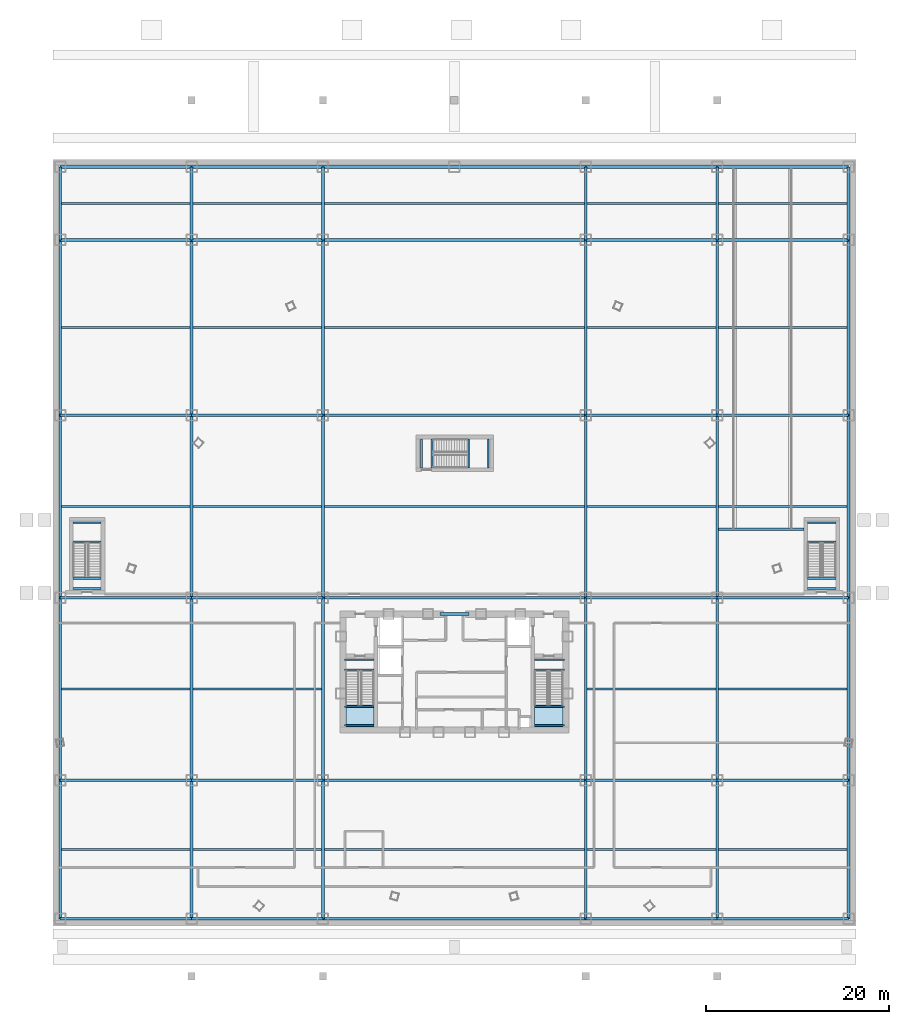
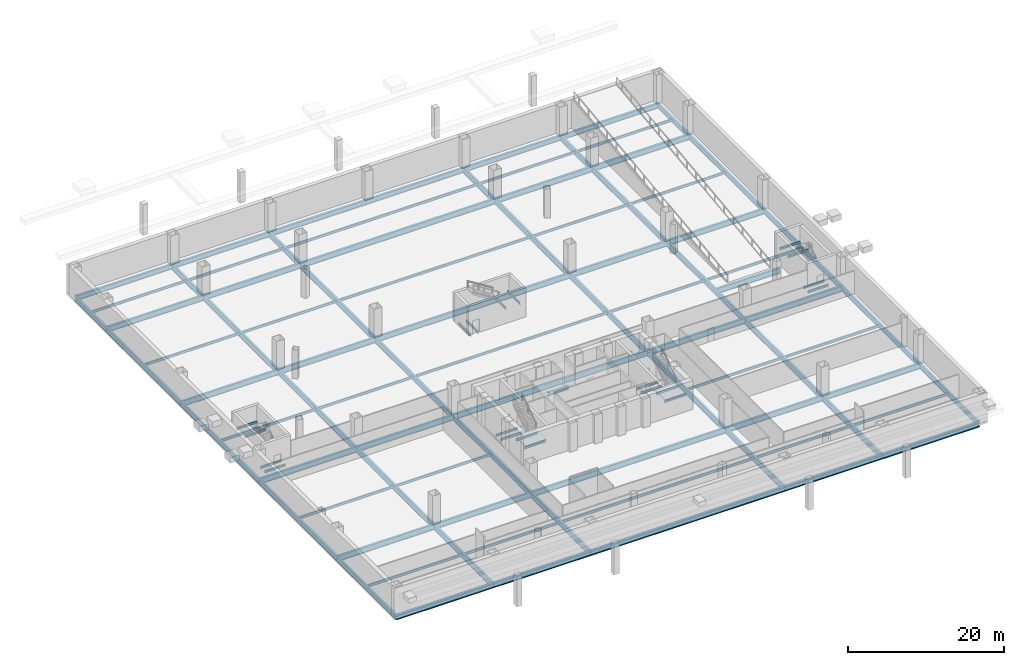
# One storey, part 4 of 16: 106 beams, 2 slabs, 2 elements without a shape of their own.
"""IFC4 building model written with IfcOpenShell, lengths in metres."""

from ifc_helpers import new_model, si_unit, direction, frame, origin, origin_2d, place, context, subcontext, project, spatial, polyline, i_section, outline, extrude, source, transform, mapped, material, layer, layer_set, material_profile, profile_set, type_object, element, aggregate, save


model = new_model("IFC4")

# Units and contexts
model_context = context("Model", 3, precision=1e-05, world=origin(), true_north=direction((0.0, 1.0)))
body_context = subcontext(model_context, "Body", "Model", "MODEL_VIEW")
ifc_project = project(units=[si_unit("LENGTHUNIT", "METRE"), si_unit("AREAUNIT", "SQUARE_METRE"), si_unit("VOLUMEUNIT", "CUBIC_METRE"), si_unit("PLANEANGLEUNIT", "RADIAN"), si_unit("MASSUNIT", "GRAM", prefix="KILO"), si_unit("THERMODYNAMICTEMPERATUREUNIT", "KELVIN"), si_unit("POWERUNIT", "WATT")], contexts=[model_context])

# Site, building, storey
site_placement = place(None, origin())
site = spatial("IfcSite", under=ifc_project, at=site_placement, CompositionType="ELEMENT")
building_placement = place(site_placement, origin())
building = spatial("IfcBuilding", under=site, at=building_placement, Name="Yunzhuo Pagoda Commons", CompositionType="ELEMENT")
storey_placement = place(building_placement, frame((0.0, 0.0, -4.800048828125)))
storey = spatial("IfcBuildingStorey", under=building, at=storey_placement, Name="B01", CompositionType="ELEMENT", Elevation=-4.800048828125)

# Beams
ifc_material_1 = material(Name="Structural steel Q355B", Category="steel")
ifc_material_profile_1 = material_profile(ifc_material_1, i_section(OverallWidth=0.175048828125, OverallDepth=0.35009765625, WebThickness=0.007080078125, FlangeThickness=0.010986328125, at=origin_2d()), Name="Structural steel Q355B")
ifc_profile_set_1 = profile_set([ifc_material_profile_1], Name="Structural steel Q355B")
beam_type_1 = type_object("IfcBeamType", Name="B-JS2 Joist HN 350x175x7x11", PredefinedType="JOIST", material=ifc_profile_set_1)
shared_shape_1 = source(origin(), body_context, "Body", "SweptSolid", [
    extrude(i_section(OverallWidth=0.175048828125, OverallDepth=0.35009765625, WebThickness=0.007080078125, FlangeThickness=0.010986328125, at=origin_2d()), origin(), (0.0, 0.0, 1.0), 3.25),
])
for number, where, z_axis, x_axis, name in (
    (1, (35.949951171875, 28.0, 2.025146484375), (1.0, 0.0, 0.0), (0.0, 1.0, 0.0), "B01 ST1 landing support beam 2A"),
    (2, (35.949951171875, 30.06005859375, 2.025146484375), (1.0, 0.0, 0.0), (0.0, 1.0, 0.0), "B01 ST1 landing support beam 2B"),
    (3, (35.949951171875, 34.10009765625, -0.375), (1.0, 0.0, 0.0), (0.0, 1.0, 0.0), "B01 ST1 landing support beam 104A"),
    (4, (35.949951171875, 35.199951171875, -0.375), (1.0, 0.0, 0.0), (0.0, 1.0, 0.0), "B01 ST1 landing support beam 104B"),
    (5, (56.800048828125, 28.0, 2.025146484375), (1.0, 0.0, 0.0), (0.0, 1.0, 0.0), "B01 ST2 landing support beam 2A"),
    (6, (56.800048828125, 30.06005859375, 2.025146484375), (1.0, 0.0, 0.0), (0.0, 1.0, 0.0), "B01 ST2 landing support beam 2B"),
    (7, (56.800048828125, 34.10009765625, -0.375), (1.0, 0.0, 0.0), (0.0, 1.0, 0.0), "B01 ST2 landing support beam 104A"),
    (8, (56.800048828125, 35.199951171875, -0.375), (1.0, 0.0, 0.0), (0.0, 1.0, 0.0), "B01 ST2 landing support beam 104B"),
):
    element("IfcBeam", number, at=place(storey_placement, frame(where, z_axis=z_axis, x_axis=x_axis)), inside=storey, type_object=beam_type_1, Name=name, PredefinedType="JOIST", context=body_context, shape_type="MappedRepresentation", body=[
        mapped(shared_shape_1, transform((0.0, 0.0, 0.0), scale=1.0)),
    ])
shared_shape_2 = source(origin(), body_context, "Body", "SweptSolid", [
    extrude(i_section(OverallWidth=0.175048828125, OverallDepth=0.35009765625, WebThickness=0.007080078125, FlangeThickness=0.010986328125, at=origin_2d()), origin(), (0.0, 0.0, 1.0), 3.199951171875),
])
for number, where, z_axis, x_axis, name in (
    (9, (49.590087890625, 56.199951171875, 2.025146484375), (0.0, 1.0, 0.0), (-1.0, 0.0, 0.0), "B01 ST3 landing support beam 2A"),
    (10, (51.699951171875, 56.199951171875, 2.025146484375), (0.0, 1.0, 0.0), (-1.0, 0.0, 0.0), "B01 ST3 landing support beam 2B"),
    (11, (44.39990234375, 56.199951171875, -0.375), (0.0, 1.0, 0.0), (-1.0, 0.0, 0.0), "B01 ST3 landing support beam 74A"),
    (12, (45.550048828125, 56.199951171875, -0.375), (0.0, 1.0, 0.0), (-1.0, 0.0, 0.0), "B01 ST3 landing support beam 74B"),
):
    element("IfcBeam", number, at=place(storey_placement, frame(where, z_axis=z_axis, x_axis=x_axis)), inside=storey, type_object=beam_type_1, Name=name, PredefinedType="JOIST", context=body_context, shape_type="MappedRepresentation", body=[
        mapped(shared_shape_2, transform((0.0, 0.0, 0.0), scale=1.0)),
    ])
shared_shape_3 = source(origin(), body_context, "Body", "SweptSolid", [
    extrude(i_section(OverallWidth=0.175048828125, OverallDepth=0.35009765625, WebThickness=0.007080078125, FlangeThickness=0.010986328125, at=origin_2d()), origin(), (0.0, 0.0, 1.0), 3.10009765625),
])
for number, where, z_axis, x_axis, name in (
    (13, (6.199951171875, 48.139892578125, 2.025146484375), (1.0, 0.0, 0.0), (0.0, 1.0, 0.0), "B01 PS3 landing support beam 2A"),
    (14, (6.199951171875, 50.199951171875, 2.025146484375), (1.0, 0.0, 0.0), (0.0, 1.0, 0.0), "B01 PS3 landing support beam 2B"),
    (15, (6.199951171875, 43.0, -0.375), (1.0, 0.0, 0.0), (0.0, 1.0, 0.0), "B01 PS3 landing support beam 10A"),
    (16, (6.199951171875, 44.10009765625, -0.375), (1.0, 0.0, 0.0), (0.0, 1.0, 0.0), "B01 PS3 landing support beam 10B"),
    (17, (86.699951171875, 48.139892578125, 2.025146484375), (1.0, 0.0, 0.0), (0.0, 1.0, 0.0), "B01 PS4 landing support beam 2A"),
    (18, (86.699951171875, 50.199951171875, 2.025146484375), (1.0, 0.0, 0.0), (0.0, 1.0, 0.0), "B01 PS4 landing support beam 2B"),
    (19, (86.699951171875, 43.0, -0.375), (1.0, 0.0, 0.0), (0.0, 1.0, 0.0), "B01 PS4 landing support beam 10A"),
    (20, (86.699951171875, 44.10009765625, -0.375), (1.0, 0.0, 0.0), (0.0, 1.0, 0.0), "B01 PS4 landing support beam 10B"),
):
    element("IfcBeam", number, at=place(storey_placement, frame(where, z_axis=z_axis, x_axis=x_axis)), inside=storey, type_object=beam_type_1, Name=name, PredefinedType="JOIST", context=body_context, shape_type="MappedRepresentation", body=[
        mapped(shared_shape_3, transform((0.0, 0.0, 0.0), scale=1.0)),
    ])
ifc_material_profile_2 = material_profile(ifc_material_1, i_section(OverallWidth=0.300048828125, OverallDepth=0.89990234375, WebThickness=0.01611328125, FlangeThickness=0.028076171875, at=origin_2d()), Name="Structural steel Q355B")
ifc_profile_set_2 = profile_set([ifc_material_profile_2], Name="Structural steel Q355B")
beam_type_2 = type_object("IfcBeamType", Name="B-PD1 Beam HN 900x300x16x28", PredefinedType="BEAM", material=ifc_profile_set_2)
shared_shape_4 = source(origin(), body_context, "Body", "SweptSolid", [
    extrude(i_section(OverallWidth=0.300048828125, OverallDepth=0.89990234375, WebThickness=0.01611328125, FlangeThickness=0.028076171875, at=origin_2d()), origin(), (0.0, 0.0, 1.0), 9.35009765625),
])
beam_1_placement = place(storey_placement, frame((76.949951171875, 49.5, -0.75), z_axis=(1.0, 0.0, 0.0), x_axis=(0.0, 1.0, 0.0)))
element("IfcBeam", 21, at=beam_1_placement, inside=storey, type_object=beam_type_2, Name="B01 vehicle ramp toe support girder", PredefinedType="BEAM", context=body_context, shape_type="MappedRepresentation", body=[
    mapped(shared_shape_4, transform((0.0, 0.0, 0.0), scale=1.0)),
])
ifc_material_2 = material(Name="Structural steel Q420B", Category="steel")
ifc_material_profile_3 = material_profile(ifc_material_2, i_section(OverallWidth=0.300048828125, OverallDepth=0.587890625, WebThickness=0.011962890625, FlangeThickness=0.02001953125, at=origin_2d()), Name="Structural steel Q420B")
ifc_profile_set_3 = profile_set([ifc_material_profile_3], Name="Structural steel Q420B")
beam_type_3 = type_object("IfcBeamType", Name="B-CPL Beam HM 588x300x12x20", PredefinedType="BEAM", material=ifc_profile_set_3)
shared_shape_5 = source(origin(), body_context, "Body", "SweptSolid", [
    extrude(i_section(OverallWidth=0.300048828125, OverallDepth=0.587890625, WebThickness=0.011962890625, FlangeThickness=0.02001953125, at=origin_2d()), origin(), (0.0, 0.0, 1.0), 3.2001953125),
])
beam_2_placement = place(storey_placement, frame((46.39990234375, 40.199951171875, -0.593994140625), z_axis=(1.0, 0.0, 0.0), x_axis=(0.0, 1.0, 0.0)))
element("IfcBeam", 22, at=beam_2_placement, inside=storey, type_object=beam_type_3, Name="B01 core coupling girder", PredefinedType="BEAM", context=body_context, shape_type="MappedRepresentation", body=[
    mapped(shared_shape_5, transform((0.0, 0.0, 0.0), scale=1.0)),
])
ifc_material_profile_4 = material_profile(ifc_material_1, i_section(OverallWidth=0.300048828125, OverallDepth=0.800048828125, WebThickness=0.013916015625, FlangeThickness=0.02587890625, at=origin_2d()), Name="Structural steel Q355B")
ifc_profile_set_4 = profile_set([ifc_material_profile_4], Name="Structural steel Q355B")
beam_type_4 = type_object("IfcBeamType", Name="B-PD2 Beam HN 800x300x14x26", PredefinedType="BEAM", material=ifc_profile_set_4)
shared_shape_6 = source(origin(), body_context, "Body", "SweptSolid", [
    extrude(i_section(OverallWidth=0.300048828125, OverallDepth=0.800048828125, WebThickness=0.013916015625, FlangeThickness=0.02587890625, at=origin_2d()), origin(), (0.0, 0.0, 1.0), 14.39990234375),
])
for number, where, z_axis, x_axis, name in (
    (23, (4.800048828125, 6.800048828125, -0.699951171875), (1.0, 0.0, 0.0), (0.0, 1.0, 0.0), "B01 podium girder EW 1.1"),
    (24, (76.800048828125, 6.800048828125, -0.699951171875), (1.0, 0.0, 0.0), (0.0, 1.0, 0.0), "B01 podium girder EW 1.5"),
    (25, (4.800048828125, 89.199951171875, -0.699951171875), (1.0, 0.0, 0.0), (0.0, 1.0, 0.0), "B01 podium girder EW 6.1"),
    (26, (76.800048828125, 89.199951171875, -0.699951171875), (1.0, 0.0, 0.0), (0.0, 1.0, 0.0), "B01 podium girder EW 6.5"),
):
    element("IfcBeam", number, at=place(storey_placement, frame(where, z_axis=z_axis, x_axis=x_axis)), inside=storey, type_object=beam_type_4, Name=name, PredefinedType="BEAM", context=body_context, shape_type="MappedRepresentation", body=[
        mapped(shared_shape_6, transform((0.0, 0.0, 0.0), scale=1.0)),
    ])
shared_shape_7 = source(origin(), body_context, "Body", "SweptSolid", [
    extrude(i_section(OverallWidth=0.300048828125, OverallDepth=0.800048828125, WebThickness=0.013916015625, FlangeThickness=0.02587890625, at=origin_2d()), origin(), (0.0, 0.0, 1.0), 14.400146484375),
])
for number, where, z_axis, x_axis, name in (
    (27, (19.199951171875, 6.800048828125, -0.699951171875), (1.0, 0.0, 0.0), (0.0, 1.0, 0.0), "B01 podium girder EW 1.2"),
    (28, (62.39990234375, 6.800048828125, -0.699951171875), (1.0, 0.0, 0.0), (0.0, 1.0, 0.0), "B01 podium girder EW 1.4"),
    (29, (19.199951171875, 89.199951171875, -0.699951171875), (1.0, 0.0, 0.0), (0.0, 1.0, 0.0), "B01 podium girder EW 6.2"),
    (30, (62.39990234375, 89.199951171875, -0.699951171875), (1.0, 0.0, 0.0), (0.0, 1.0, 0.0), "B01 podium girder EW 6.4"),
):
    element("IfcBeam", number, at=place(storey_placement, frame(where, z_axis=z_axis, x_axis=x_axis)), inside=storey, type_object=beam_type_4, Name=name, PredefinedType="BEAM", context=body_context, shape_type="MappedRepresentation", body=[
        mapped(shared_shape_7, transform((0.0, 0.0, 0.0), scale=1.0)),
    ])
shared_shape_8 = source(origin(), body_context, "Body", "SweptSolid", [
    extrude(i_section(OverallWidth=0.300048828125, OverallDepth=0.800048828125, WebThickness=0.013916015625, FlangeThickness=0.02587890625, at=origin_2d()), origin(), (0.0, 0.0, 1.0), 28.7998046875),
])
for number, where, z_axis, x_axis, name in (
    (31, (33.60009765625, 6.800048828125, -0.699951171875), (1.0, 0.0, 0.0), (0.0, 1.0, 0.0), "B01 podium girder EW 1.3"),
    (32, (33.60009765625, 89.199951171875, -0.699951171875), (1.0, 0.0, 0.0), (0.0, 1.0, 0.0), "B01 podium girder EW 6.3"),
):
    element("IfcBeam", number, at=place(storey_placement, frame(where, z_axis=z_axis, x_axis=x_axis)), inside=storey, type_object=beam_type_4, Name=name, PredefinedType="BEAM", context=body_context, shape_type="MappedRepresentation", body=[
        mapped(shared_shape_8, transform((0.0, 0.0, 0.0), scale=1.0)),
    ])
shared_shape_9 = source(origin(), body_context, "Body", "SweptSolid", [
    extrude(i_section(OverallWidth=0.300048828125, OverallDepth=0.89990234375, WebThickness=0.01611328125, FlangeThickness=0.028076171875, at=origin_2d()), origin(), (0.0, 0.0, 1.0), 14.39990234375),
])
for number, where, z_axis, x_axis, name in (
    (33, (4.800048828125, 22.0, -0.75), (1.0, 0.0, 0.0), (0.0, 1.0, 0.0), "B01 podium girder EW 2.1"),
    (34, (76.800048828125, 22.0, -0.75), (1.0, 0.0, 0.0), (0.0, 1.0, 0.0), "B01 podium girder EW 2.5"),
    (35, (4.800048828125, 42.0, -0.75), (1.0, 0.0, 0.0), (0.0, 1.0, 0.0), "B01 podium girder EW 3.1"),
    (36, (76.800048828125, 42.0, -0.75), (1.0, 0.0, 0.0), (0.0, 1.0, 0.0), "B01 podium girder EW 3.5"),
    (37, (4.800048828125, 62.0, -0.75), (1.0, 0.0, 0.0), (0.0, 1.0, 0.0), "B01 podium girder EW 4.1"),
    (38, (76.800048828125, 62.0, -0.75), (1.0, 0.0, 0.0), (0.0, 1.0, 0.0), "B01 podium girder EW 4.5"),
    (39, (4.800048828125, 81.199951171875, -0.75), (1.0, 0.0, 0.0), (0.0, 1.0, 0.0), "B01 podium girder EW 5.1"),
    (40, (76.800048828125, 81.199951171875, -0.75), (1.0, 0.0, 0.0), (0.0, 1.0, 0.0), "B01 podium girder EW 5.5"),
):
    element("IfcBeam", number, at=place(storey_placement, frame(where, z_axis=z_axis, x_axis=x_axis)), inside=storey, type_object=beam_type_2, Name=name, PredefinedType="BEAM", context=body_context, shape_type="MappedRepresentation", body=[
        mapped(shared_shape_9, transform((0.0, 0.0, 0.0), scale=1.0)),
    ])
shared_shape_10 = source(origin(), body_context, "Body", "SweptSolid", [
    extrude(i_section(OverallWidth=0.300048828125, OverallDepth=0.89990234375, WebThickness=0.01611328125, FlangeThickness=0.028076171875, at=origin_2d()), origin(), (0.0, 0.0, 1.0), 14.400146484375),
])
for number, where, z_axis, x_axis, name in (
    (41, (19.199951171875, 22.0, -0.75), (1.0, 0.0, 0.0), (0.0, 1.0, 0.0), "B01 podium girder EW 2.2"),
    (42, (62.39990234375, 22.0, -0.75), (1.0, 0.0, 0.0), (0.0, 1.0, 0.0), "B01 podium girder EW 2.4"),
    (43, (19.199951171875, 42.0, -0.75), (1.0, 0.0, 0.0), (0.0, 1.0, 0.0), "B01 podium girder EW 3.2"),
    (44, (62.39990234375, 42.0, -0.75), (1.0, 0.0, 0.0), (0.0, 1.0, 0.0), "B01 podium girder EW 3.4"),
    (45, (19.199951171875, 62.0, -0.75), (1.0, 0.0, 0.0), (0.0, 1.0, 0.0), "B01 podium girder EW 4.2"),
    (46, (62.39990234375, 62.0, -0.75), (1.0, 0.0, 0.0), (0.0, 1.0, 0.0), "B01 podium girder EW 4.4"),
    (47, (19.199951171875, 81.199951171875, -0.75), (1.0, 0.0, 0.0), (0.0, 1.0, 0.0), "B01 podium girder EW 5.2"),
    (48, (62.39990234375, 81.199951171875, -0.75), (1.0, 0.0, 0.0), (0.0, 1.0, 0.0), "B01 podium girder EW 5.4"),
):
    element("IfcBeam", number, at=place(storey_placement, frame(where, z_axis=z_axis, x_axis=x_axis)), inside=storey, type_object=beam_type_2, Name=name, PredefinedType="BEAM", context=body_context, shape_type="MappedRepresentation", body=[
        mapped(shared_shape_10, transform((0.0, 0.0, 0.0), scale=1.0)),
    ])
shared_shape_11 = source(origin(), body_context, "Body", "SweptSolid", [
    extrude(i_section(OverallWidth=0.300048828125, OverallDepth=0.89990234375, WebThickness=0.01611328125, FlangeThickness=0.028076171875, at=origin_2d()), origin(), (0.0, 0.0, 1.0), 28.7998046875),
])
for number, where, z_axis, x_axis, name in (
    (49, (33.60009765625, 22.0, -0.75), (1.0, 0.0, 0.0), (0.0, 1.0, 0.0), "B01 podium girder EW 2.3"),
    (50, (33.60009765625, 42.0, -0.75), (1.0, 0.0, 0.0), (0.0, 1.0, 0.0), "B01 podium girder EW 3.3"),
    (51, (33.60009765625, 62.0, -0.75), (1.0, 0.0, 0.0), (0.0, 1.0, 0.0), "B01 podium girder EW 4.3"),
    (52, (33.60009765625, 81.199951171875, -0.75), (1.0, 0.0, 0.0), (0.0, 1.0, 0.0), "B01 podium girder EW 5.3"),
):
    element("IfcBeam", number, at=place(storey_placement, frame(where, z_axis=z_axis, x_axis=x_axis)), inside=storey, type_object=beam_type_2, Name=name, PredefinedType="BEAM", context=body_context, shape_type="MappedRepresentation", body=[
        mapped(shared_shape_11, transform((0.0, 0.0, 0.0), scale=1.0)),
    ])
shared_shape_12 = source(origin(), body_context, "Body", "SweptSolid", [
    extrude(i_section(OverallWidth=0.300048828125, OverallDepth=0.800048828125, WebThickness=0.013916015625, FlangeThickness=0.02587890625, at=origin_2d()), origin(), (0.0, 0.0, 1.0), 15.199951171875),
])
for number, where, z_axis, x_axis, name in (
    (53, (4.800048828125, 6.800048828125, -0.699951171875), (0.0, 1.0, 0.0), (-1.0, 0.0, 0.0), "B01 podium girder NS 1.1"),
    (54, (91.199951171875, 6.800048828125, -0.699951171875), (0.0, 1.0, 0.0), (-1.0, 0.0, 0.0), "B01 podium girder NS 6.1"),
):
    element("IfcBeam", number, at=place(storey_placement, frame(where, z_axis=z_axis, x_axis=x_axis)), inside=storey, type_object=beam_type_4, Name=name, PredefinedType="BEAM", context=body_context, shape_type="MappedRepresentation", body=[
        mapped(shared_shape_12, transform((0.0, 0.0, 0.0), scale=1.0)),
    ])
ifc_material_profile_5 = material_profile(ifc_material_1, i_section(OverallWidth=0.199951171875, OverallDepth=0.39990234375, WebThickness=0.008056640625, FlangeThickness=0.012939453125, at=origin_2d()), Name="Structural steel Q355B")
ifc_profile_set_5 = profile_set([ifc_material_profile_5], Name="Structural steel Q355B")
beam_type_5 = type_object("IfcBeamType", Name="B-JS1 Joist HN 400x200x8x13", PredefinedType="JOIST", material=ifc_profile_set_5)
shared_shape_13 = source(origin(), body_context, "Body", "SweptSolid", [
    extrude(i_section(OverallWidth=0.199951171875, OverallDepth=0.39990234375, WebThickness=0.008056640625, FlangeThickness=0.012939453125, at=origin_2d()), origin(), (0.0, 0.0, 1.0), 14.08984375),
])
for number, where, z_axis, x_axis, name in (
    (55, (4.955078125, 14.39990234375, -0.5), (1.0, 0.0, 0.0), (0.0, 1.0, 0.0), "B01 podium composite joist 1.1"),
    (56, (4.955078125, 32.0, -0.5), (1.0, 0.0, 0.0), (0.0, 1.0, 0.0), "B01 podium composite joist 1.2"),
    (57, (4.955078125, 52.0, -0.5), (1.0, 0.0, 0.0), (0.0, 1.0, 0.0), "B01 podium composite joist 1.3"),
    (58, (4.955078125, 71.60009765625, -0.5), (1.0, 0.0, 0.0), (0.0, 1.0, 0.0), "B01 podium composite joist 1.4"),
    (59, (4.955078125, 85.199951171875, -0.5), (1.0, 0.0, 0.0), (0.0, 1.0, 0.0), "B01 podium composite joist 1.5"),
    (60, (19.355224609375, 14.39990234375, -0.5), (1.0, 0.0, 0.0), (0.0, 1.0, 0.0), "B01 podium composite joist 2.1"),
    (61, (19.355224609375, 32.0, -0.5), (1.0, 0.0, 0.0), (0.0, 1.0, 0.0), "B01 podium composite joist 2.2"),
    (62, (19.355224609375, 52.0, -0.5), (1.0, 0.0, 0.0), (0.0, 1.0, 0.0), "B01 podium composite joist 2.3"),
    (63, (19.355224609375, 71.60009765625, -0.5), (1.0, 0.0, 0.0), (0.0, 1.0, 0.0), "B01 podium composite joist 2.4"),
    (64, (19.355224609375, 85.199951171875, -0.5), (1.0, 0.0, 0.0), (0.0, 1.0, 0.0), "B01 podium composite joist 2.5"),
    (65, (76.955078125, 14.39990234375, -0.5), (1.0, 0.0, 0.0), (0.0, 1.0, 0.0), "B01 podium composite joist 5.1"),
    (66, (76.955078125, 32.0, -0.5), (1.0, 0.0, 0.0), (0.0, 1.0, 0.0), "B01 podium composite joist 5.2"),
    (67, (76.955078125, 52.0, -0.5), (1.0, 0.0, 0.0), (0.0, 1.0, 0.0), "B01 podium composite joist 5.3"),
    (68, (76.955078125, 71.60009765625, -0.5), (1.0, 0.0, 0.0), (0.0, 1.0, 0.0), "B01 podium composite joist 5.4"),
    (69, (76.955078125, 85.199951171875, -0.5), (1.0, 0.0, 0.0), (0.0, 1.0, 0.0), "B01 podium composite joist 5.5"),
):
    element("IfcBeam", number, at=place(storey_placement, frame(where, z_axis=z_axis, x_axis=x_axis)), inside=storey, type_object=beam_type_5, Name=name, PredefinedType="JOIST", context=body_context, shape_type="MappedRepresentation", body=[
        mapped(shared_shape_13, transform((0.0, 0.0, 0.0), scale=1.0)),
    ])
shared_shape_14 = source(origin(), body_context, "Body", "SweptSolid", [
    extrude(i_section(OverallWidth=0.300048828125, OverallDepth=0.800048828125, WebThickness=0.013916015625, FlangeThickness=0.02587890625, at=origin_2d()), origin(), (0.0, 0.0, 1.0), 20.0),
])
for number, where, z_axis, x_axis, name in (
    (70, (4.800048828125, 22.0, -0.699951171875), (0.0, 1.0, 0.0), (-1.0, 0.0, 0.0), "B01 podium girder NS 1.2"),
    (71, (4.800048828125, 42.0, -0.699951171875), (0.0, 1.0, 0.0), (-1.0, 0.0, 0.0), "B01 podium girder NS 1.3"),
    (72, (91.199951171875, 22.0, -0.699951171875), (0.0, 1.0, 0.0), (-1.0, 0.0, 0.0), "B01 podium girder NS 6.2"),
    (73, (91.199951171875, 42.0, -0.699951171875), (0.0, 1.0, 0.0), (-1.0, 0.0, 0.0), "B01 podium girder NS 6.3"),
):
    element("IfcBeam", number, at=place(storey_placement, frame(where, z_axis=z_axis, x_axis=x_axis)), inside=storey, type_object=beam_type_4, Name=name, PredefinedType="BEAM", context=body_context, shape_type="MappedRepresentation", body=[
        mapped(shared_shape_14, transform((0.0, 0.0, 0.0), scale=1.0)),
    ])
shared_shape_15 = source(origin(), body_context, "Body", "SweptSolid", [
    extrude(i_section(OverallWidth=0.300048828125, OverallDepth=0.800048828125, WebThickness=0.013916015625, FlangeThickness=0.02587890625, at=origin_2d()), origin(), (0.0, 0.0, 1.0), 19.199951171875),
])
for number, where, z_axis, x_axis, name in (
    (74, (4.800048828125, 62.0, -0.699951171875), (0.0, 1.0, 0.0), (-1.0, 0.0, 0.0), "B01 podium girder NS 1.4"),
    (75, (91.199951171875, 62.0, -0.699951171875), (0.0, 1.0, 0.0), (-1.0, 0.0, 0.0), "B01 podium girder NS 6.4"),
):
    element("IfcBeam", number, at=place(storey_placement, frame(where, z_axis=z_axis, x_axis=x_axis)), inside=storey, type_object=beam_type_4, Name=name, PredefinedType="BEAM", context=body_context, shape_type="MappedRepresentation", body=[
        mapped(shared_shape_15, transform((0.0, 0.0, 0.0), scale=1.0)),
    ])
shared_shape_16 = source(origin(), body_context, "Body", "SweptSolid", [
    extrude(i_section(OverallWidth=0.300048828125, OverallDepth=0.800048828125, WebThickness=0.013916015625, FlangeThickness=0.02587890625, at=origin_2d()), origin(), (0.0, 0.0, 1.0), 8.0),
])
for number, where, z_axis, x_axis, name in (
    (76, (4.800048828125, 81.199951171875, -0.699951171875), (0.0, 1.0, 0.0), (-1.0, 0.0, 0.0), "B01 podium girder NS 1.5"),
    (77, (91.199951171875, 81.199951171875, -0.699951171875), (0.0, 1.0, 0.0), (-1.0, 0.0, 0.0), "B01 podium girder NS 6.5"),
):
    element("IfcBeam", number, at=place(storey_placement, frame(where, z_axis=z_axis, x_axis=x_axis)), inside=storey, type_object=beam_type_4, Name=name, PredefinedType="BEAM", context=body_context, shape_type="MappedRepresentation", body=[
        mapped(shared_shape_16, transform((0.0, 0.0, 0.0), scale=1.0)),
    ])
shared_shape_17 = source(origin(), body_context, "Body", "SweptSolid", [
    extrude(i_section(OverallWidth=0.300048828125, OverallDepth=0.89990234375, WebThickness=0.01611328125, FlangeThickness=0.028076171875, at=origin_2d()), origin(), (0.0, 0.0, 1.0), 15.199951171875),
])
for number, where, z_axis, x_axis, name in (
    (78, (19.199951171875, 6.800048828125, -0.75), (0.0, 1.0, 0.0), (-1.0, 0.0, 0.0), "B01 podium girder NS 2.1"),
    (79, (33.60009765625, 6.800048828125, -0.75), (0.0, 1.0, 0.0), (-1.0, 0.0, 0.0), "B01 podium girder NS 3.1"),
    (80, (62.39990234375, 6.800048828125, -0.75), (0.0, 1.0, 0.0), (-1.0, 0.0, 0.0), "B01 podium girder NS 4.1"),
    (81, (76.800048828125, 6.800048828125, -0.75), (0.0, 1.0, 0.0), (-1.0, 0.0, 0.0), "B01 podium girder NS 5.1"),
):
    element("IfcBeam", number, at=place(storey_placement, frame(where, z_axis=z_axis, x_axis=x_axis)), inside=storey, type_object=beam_type_2, Name=name, PredefinedType="BEAM", context=body_context, shape_type="MappedRepresentation", body=[
        mapped(shared_shape_17, transform((0.0, 0.0, 0.0), scale=1.0)),
    ])
shared_shape_18 = source(origin(), body_context, "Body", "SweptSolid", [
    extrude(i_section(OverallWidth=0.300048828125, OverallDepth=0.89990234375, WebThickness=0.01611328125, FlangeThickness=0.028076171875, at=origin_2d()), origin(), (0.0, 0.0, 1.0), 20.0),
])
for number, where, z_axis, x_axis, name in (
    (82, (19.199951171875, 22.0, -0.75), (0.0, 1.0, 0.0), (-1.0, 0.0, 0.0), "B01 podium girder NS 2.2"),
    (83, (19.199951171875, 42.0, -0.75), (0.0, 1.0, 0.0), (-1.0, 0.0, 0.0), "B01 podium girder NS 2.3"),
    (84, (33.60009765625, 22.0, -0.75), (0.0, 1.0, 0.0), (-1.0, 0.0, 0.0), "B01 podium girder NS 3.2"),
    (85, (33.60009765625, 42.0, -0.75), (0.0, 1.0, 0.0), (-1.0, 0.0, 0.0), "B01 podium girder NS 3.3"),
    (86, (62.39990234375, 22.0, -0.75), (0.0, 1.0, 0.0), (-1.0, 0.0, 0.0), "B01 podium girder NS 4.2"),
    (87, (62.39990234375, 42.0, -0.75), (0.0, 1.0, 0.0), (-1.0, 0.0, 0.0), "B01 podium girder NS 4.3"),
    (88, (76.800048828125, 22.0, -0.75), (0.0, 1.0, 0.0), (-1.0, 0.0, 0.0), "B01 podium girder NS 5.2"),
    (89, (76.800048828125, 42.0, -0.75), (0.0, 1.0, 0.0), (-1.0, 0.0, 0.0), "B01 podium girder NS 5.3"),
):
    element("IfcBeam", number, at=place(storey_placement, frame(where, z_axis=z_axis, x_axis=x_axis)), inside=storey, type_object=beam_type_2, Name=name, PredefinedType="BEAM", context=body_context, shape_type="MappedRepresentation", body=[
        mapped(shared_shape_18, transform((0.0, 0.0, 0.0), scale=1.0)),
    ])
shared_shape_19 = source(origin(), body_context, "Body", "SweptSolid", [
    extrude(i_section(OverallWidth=0.300048828125, OverallDepth=0.89990234375, WebThickness=0.01611328125, FlangeThickness=0.028076171875, at=origin_2d()), origin(), (0.0, 0.0, 1.0), 19.199951171875),
])
for number, where, z_axis, x_axis, name in (
    (90, (19.199951171875, 62.0, -0.75), (0.0, 1.0, 0.0), (-1.0, 0.0, 0.0), "B01 podium girder NS 2.4"),
    (91, (33.60009765625, 62.0, -0.75), (0.0, 1.0, 0.0), (-1.0, 0.0, 0.0), "B01 podium girder NS 3.4"),
    (92, (62.39990234375, 62.0, -0.75), (0.0, 1.0, 0.0), (-1.0, 0.0, 0.0), "B01 podium girder NS 4.4"),
    (93, (76.800048828125, 62.0, -0.75), (0.0, 1.0, 0.0), (-1.0, 0.0, 0.0), "B01 podium girder NS 5.4"),
):
    element("IfcBeam", number, at=place(storey_placement, frame(where, z_axis=z_axis, x_axis=x_axis)), inside=storey, type_object=beam_type_2, Name=name, PredefinedType="BEAM", context=body_context, shape_type="MappedRepresentation", body=[
        mapped(shared_shape_19, transform((0.0, 0.0, 0.0), scale=1.0)),
    ])
shared_shape_20 = source(origin(), body_context, "Body", "SweptSolid", [
    extrude(i_section(OverallWidth=0.300048828125, OverallDepth=0.89990234375, WebThickness=0.01611328125, FlangeThickness=0.028076171875, at=origin_2d()), origin(), (0.0, 0.0, 1.0), 8.0),
])
for number, where, z_axis, x_axis, name in (
    (94, (19.199951171875, 81.199951171875, -0.75), (0.0, 1.0, 0.0), (-1.0, 0.0, 0.0), "B01 podium girder NS 2.5"),
    (95, (33.60009765625, 81.199951171875, -0.75), (0.0, 1.0, 0.0), (-1.0, 0.0, 0.0), "B01 podium girder NS 3.5"),
    (96, (62.39990234375, 81.199951171875, -0.75), (0.0, 1.0, 0.0), (-1.0, 0.0, 0.0), "B01 podium girder NS 4.5"),
    (97, (76.800048828125, 81.199951171875, -0.75), (0.0, 1.0, 0.0), (-1.0, 0.0, 0.0), "B01 podium girder NS 5.5"),
):
    element("IfcBeam", number, at=place(storey_placement, frame(where, z_axis=z_axis, x_axis=x_axis)), inside=storey, type_object=beam_type_2, Name=name, PredefinedType="BEAM", context=body_context, shape_type="MappedRepresentation", body=[
        mapped(shared_shape_20, transform((0.0, 0.0, 0.0), scale=1.0)),
    ])
shared_shape_21 = source(origin(), body_context, "Body", "SweptSolid", [
    extrude(i_section(OverallWidth=0.199951171875, OverallDepth=0.39990234375, WebThickness=0.008056640625, FlangeThickness=0.012939453125, at=origin_2d()), origin(), (0.0, 0.0, 1.0), 28.490234375),
])
for number, where, z_axis, x_axis, name in (
    (98, (33.7548828125, 14.39990234375, -0.5), (1.0, 0.0, 0.0), (0.0, 1.0, 0.0), "B01 podium composite joist 3.1"),
    (99, (33.7548828125, 52.0, -0.5), (1.0, 0.0, 0.0), (0.0, 1.0, 0.0), "B01 podium composite joist 3.3"),
    (100, (33.7548828125, 71.60009765625, -0.5), (1.0, 0.0, 0.0), (0.0, 1.0, 0.0), "B01 podium composite joist 3.4"),
    (101, (33.7548828125, 85.199951171875, -0.5), (1.0, 0.0, 0.0), (0.0, 1.0, 0.0), "B01 podium composite joist 3.5"),
):
    element("IfcBeam", number, at=place(storey_placement, frame(where, z_axis=z_axis, x_axis=x_axis)), inside=storey, type_object=beam_type_5, Name=name, PredefinedType="JOIST", context=body_context, shape_type="MappedRepresentation", body=[
        mapped(shared_shape_21, transform((0.0, 0.0, 0.0), scale=1.0)),
    ])
shared_shape_22 = source(origin(), body_context, "Body", "SweptSolid", [
    extrude(i_section(OverallWidth=0.199951171875, OverallDepth=0.39990234375, WebThickness=0.008056640625, FlangeThickness=0.012939453125, at=origin_2d()), origin(), (0.0, 0.0, 1.0), 14.09033203125),
])
for number, where, z_axis, x_axis, name in (
    (102, (62.554931640625, 14.39990234375, -0.5), (1.0, 0.0, 0.0), (0.0, 1.0, 0.0), "B01 podium composite joist 4.1"),
    (103, (62.554931640625, 32.0, -0.5), (1.0, 0.0, 0.0), (0.0, 1.0, 0.0), "B01 podium composite joist 4.2"),
    (104, (62.554931640625, 52.0, -0.5), (1.0, 0.0, 0.0), (0.0, 1.0, 0.0), "B01 podium composite joist 4.3"),
    (105, (62.554931640625, 71.60009765625, -0.5), (1.0, 0.0, 0.0), (0.0, 1.0, 0.0), "B01 podium composite joist 4.4"),
    (106, (62.554931640625, 85.199951171875, -0.5), (1.0, 0.0, 0.0), (0.0, 1.0, 0.0), "B01 podium composite joist 4.5"),
):
    element("IfcBeam", number, at=place(storey_placement, frame(where, z_axis=z_axis, x_axis=x_axis)), inside=storey, type_object=beam_type_5, Name=name, PredefinedType="JOIST", context=body_context, shape_type="MappedRepresentation", body=[
        mapped(shared_shape_22, transform((0.0, 0.0, 0.0), scale=1.0)),
    ])

# Stair, slab
ifc_material_3 = material(Name="Concrete C40", Category="concrete")
stair_type_1 = type_object("IfcStairType", Name="ST-C1 Core Smokeproof Stair ST1", PredefinedType="HALF_TURN_STAIR", material=ifc_material_3)
stair_1_placement = place(storey_placement, origin())
stair_1 = element("IfcStair", 107, at=stair_1_placement, inside=storey, type_object=stair_type_1, Name="B01 Core smokeproof stair ST1", PredefinedType="HALF_TURN_STAIR")
ifc_layer_1 = layer(ifc_material_3, 0.199951171875)
ifc_layer_set_1 = layer_set([ifc_layer_1], Name="Concrete C40")
slab_type_1 = type_object("IfcSlabType", Name="SL-LND1 Stair Landing Slab 200", PredefinedType="LANDING", material=ifc_layer_set_1)
slab_1_placement = place(storey_placement, frame((0.0, 0.0, 2.199951171875)))
slab_1 = element("IfcSlab", 108, at=slab_1_placement, type_object=slab_type_1, Name="ST1 landing 1", PredefinedType="LANDING", context=body_context, shape_type="SweptSolid", body=[
    extrude(outline(polyline([(36.10009765625, 30.260009765625), (36.10009765625, 27.800048828125), (39.199951171875, 27.800048828125), (39.199951171875, 30.260009765625), (36.10009765625, 30.260009765625)])), origin(), (0.0, 0.0, 1.0), 0.2001953125),
])
aggregate(stair_1, [slab_1])

stair_type_2 = type_object("IfcStairType", Name="ST-C2 Core Smokeproof Stair ST2", PredefinedType="HALF_TURN_STAIR", material=ifc_material_3)
stair_2_placement = place(storey_placement, origin())
stair_2 = element("IfcStair", 109, at=stair_2_placement, inside=storey, type_object=stair_type_2, Name="B01 Core smokeproof stair ST2", PredefinedType="HALF_TURN_STAIR")
ifc_layer_2 = layer(ifc_material_3, 0.201904296875)
ifc_layer_set_2 = layer_set([ifc_layer_2], Name="Concrete C40")
slab_type_2 = type_object("IfcSlabType", Name="SL-LND2 Stair Landing Slab 202", PredefinedType="LANDING", material=ifc_layer_set_2)
slab_2_placement = place(storey_placement, frame((0.0, 0.0, 2.199951171875)))
slab_2 = element("IfcSlab", 110, at=slab_2_placement, type_object=slab_type_2, Name="ST2 landing 1", PredefinedType="LANDING", context=body_context, shape_type="SweptSolid", body=[
    extrude(outline(polyline([(56.800048828125, 30.260009765625), (56.800048828125, 27.800048828125), (59.89990234375, 27.800048828125), (59.89990234375, 30.260009765625), (56.800048828125, 30.260009765625)])), origin(), (0.0, 0.0, 1.0), 0.2001953125),
])
aggregate(stair_2, [slab_2])

save(model, "model.ifc")
